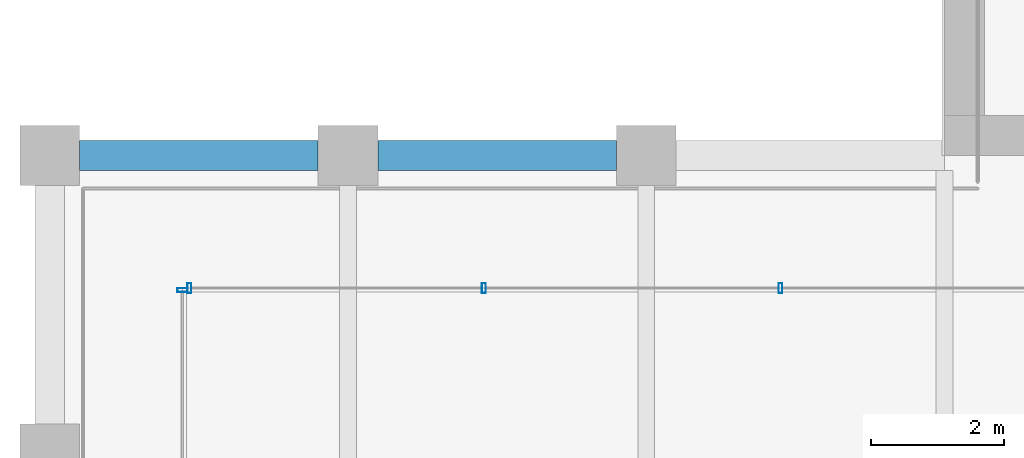
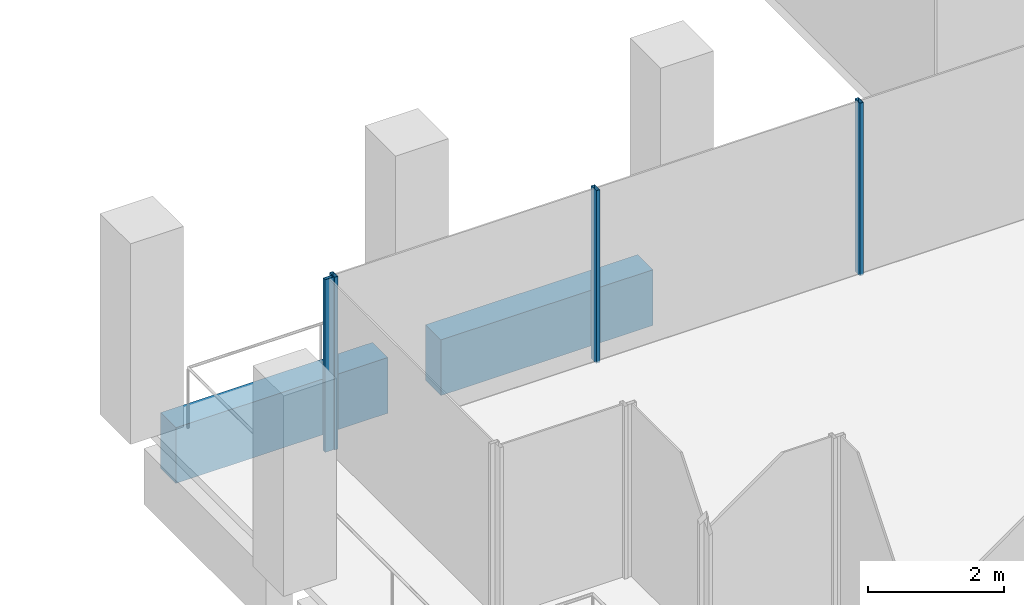
# One storey, part 5 of 40: 4 members, 2 beams, 2 elements without a shape of their own.
"""IFC4 building model written with IfcOpenShell, lengths in metres."""

import ifcopenshell
import ifcopenshell.guid

model = None  # the IFC model being written
_history = None  # IfcOwnerHistory: only IFC2X3 demands one
_inside = {}  # id of a spatial element -> (the spatial element, [elements in it])
_under = {}  # id of a project, library or spatial element -> (it, [spatial elements below it])
_declared = {}  # id of a project -> (the project, [libraries it declares])
_typed = {}  # id of a type object -> (the type object, [elements of that type])
_made_of = {}  # id of a material, layer set ... -> (it, [elements and type objects made of it])


def new_model(schema):
    """Start an empty IFC model of exactly this schema.

    Asked for "IFC4X3", IfcOpenShell would pick the latest addendum, in which some entities
    have other attributes; the version numbers below select the first issue.
    IFC2X3 requires an IfcOwnerHistory on every rooted entity: one is made here for all.
    """
    global model, _history
    if schema == "IFC4X3":
        model = ifcopenshell.file(schema_version=(4, 3, 0, 0))
    else:
        model = ifcopenshell.file(schema=schema)
    _inside.clear()
    _under.clear()
    _declared.clear()
    _typed.clear()
    _made_of.clear()
    _history = None
    if model.schema == "IFC2X3":
        org = make("IfcOrganization", Name="unknown")
        user = make(
            "IfcPersonAndOrganization",
            ThePerson=make("IfcPerson", FamilyName="unknown"),
            TheOrganization=org,
        )
        app = make(
            "IfcApplication",
            ApplicationDeveloper=org,
            Version="unknown",
            ApplicationFullName="unknown",
            ApplicationIdentifier="unknown",
        )
        _history = make(
            "IfcOwnerHistory",
            OwningUser=user,
            OwningApplication=app,
            ChangeAction="ADDED",
            CreationDate=0,
        )
    return model


def make(cls, **values):
    """One entity of the class cls with the attributes given. An attribute that is None is left unset."""
    return model.create_entity(
        cls, **{name: value for name, value in values.items() if value is not None}
    )


def rooted(cls, **values):
    """An entity with a GlobalId (a new one), such as an element, a storey or a relation."""
    return make(cls, GlobalId=ifcopenshell.guid.new(), OwnerHistory=_history, **values)


def si_unit(unit_type, name, prefix=None):
    """IfcSIUnit, for example si_unit("LENGTHUNIT", "METRE", prefix="MILLI")."""
    return make("IfcSIUnit", UnitType=unit_type, Prefix=prefix, Name=name)


def assignment(units):
    """IfcUnitAssignment: the units of a project."""
    return None if units is None else make("IfcUnitAssignment", Units=units)


def point(xyz):
    """IfcCartesianPoint."""
    return None if xyz is None else make("IfcCartesianPoint", Coordinates=xyz)


def direction(xyz):
    """IfcDirection."""
    return None if xyz is None else make("IfcDirection", DirectionRatios=xyz)


def frame(location, z_axis=None, x_axis=None):
    """IfcAxis2Placement3D, a coordinate frame: its origin and axes. An axis left out is left unset."""
    return make(
        "IfcAxis2Placement3D",
        Location=point(location),
        Axis=direction(z_axis),
        RefDirection=direction(x_axis),
    )


def frame_2d(location, x_axis=None):
    """IfcAxis2Placement2D, a coordinate frame in the plane: its origin and x axis."""
    return make(
        "IfcAxis2Placement2D", Location=point(location), RefDirection=direction(x_axis)
    )


def origin():
    """The frame at (0, 0, 0) with its axes left unset."""
    return frame((0.0, 0.0, 0.0))


def origin_2d():
    """The frame at (0, 0) in the plane with its x axis left unset."""
    return frame_2d((0.0, 0.0))


def place(relative_to, where):
    """IfcLocalPlacement: puts the frame where relative to a parent placement (None: the world)."""
    return make(
        "IfcLocalPlacement", PlacementRelTo=relative_to, RelativePlacement=where
    )


def context(
    kind, dimensions, precision=None, world=None, true_north=None, identifier=None
):
    """IfcGeometricRepresentationContext, for example the 3D "Model" context."""
    return make(
        "IfcGeometricRepresentationContext",
        ContextIdentifier=identifier,
        ContextType=kind,
        CoordinateSpaceDimension=dimensions,
        Precision=precision,
        WorldCoordinateSystem=world,
        TrueNorth=true_north,
    )


def subcontext(parent, identifier, kind, view, scale=None):
    """IfcGeometricRepresentationSubContext, for example "Body" below "Model"."""
    return make(
        "IfcGeometricRepresentationSubContext",
        ContextIdentifier=identifier,
        ContextType=kind,
        ParentContext=parent,
        TargetScale=scale,
        TargetView=view,
    )


def project(units=None, contexts=None):
    """IfcProject with its units and contexts."""
    return rooted(
        "IfcProject",
        Name="project",
        RepresentationContexts=contexts,
        UnitsInContext=assignment(units),
    )


def spatial(cls, under=None, at=None, **own):
    """A site, building, storey or space (cls), placed at a placement, below another one or the project."""
    s = rooted(cls, ObjectPlacement=at, **own)
    if under is not None:
        _under.setdefault(under.id(), (under, []))[1].append(s)
    return s


def profile(cls, at=None, kind="AREA", **sizes):
    """A parametric profile (cls). Its sizes go by their IFC names, for example OverallWidth=200.0."""
    return make(cls, ProfileType=kind, Position=at, **sizes)


def rectangle(**sizes):
    """IfcRectangleProfileDef."""
    return profile("IfcRectangleProfileDef", **sizes)


def hollow_rectangle(**sizes):
    """IfcRectangleHollowProfileDef."""
    return profile("IfcRectangleHollowProfileDef", **sizes)


def extrude(swept, where, along, depth):
    """IfcExtrudedAreaSolid: the profile swept, set in the frame where, extruded along a direction by depth."""
    return make(
        "IfcExtrudedAreaSolid",
        SweptArea=swept,
        Position=where,
        ExtrudedDirection=direction(along),
        Depth=depth,
    )


def shape(context_of_items, identifier, shape_type, items):
    """IfcShapeRepresentation: the items that make up one representation, for example the "Body"."""
    return make(
        "IfcShapeRepresentation",
        ContextOfItems=context_of_items,
        RepresentationIdentifier=identifier,
        RepresentationType=shape_type,
        Items=items,
    )


def material(Name=None, Category=None):
    """IfcMaterial."""
    return make("IfcMaterial", Name=Name, Category=Category)


def material_profile(
    of_material, cross_section, Name=None, Category=None, Priority=None
):
    """IfcMaterialProfile: a cross section and its material."""
    return make(
        "IfcMaterialProfile",
        Name=Name,
        Material=of_material,
        Profile=cross_section,
        Priority=Priority,
        Category=Category,
    )


def profile_set(profiles, Name=None, composite=None):
    """IfcMaterialProfileSet."""
    return make(
        "IfcMaterialProfileSet",
        Name=Name,
        MaterialProfiles=profiles,
        CompositeProfile=composite,
    )


def made_of(thing, what):
    """Note that an element or type object is made of a material, layer set ...; save() writes the relation."""
    if what is not None:
        _made_of.setdefault(what.id(), (what, []))[1].append(thing)
    return thing


def type_object(cls, material=None, **own):
    """A type object (cls), such as IfcWallType, which elements share."""
    return made_of(rooted(cls, **own), material)


def element(
    cls,
    number,
    at=None,
    inside=None,
    cuts=None,
    type_object=None,
    material=None,
    context=None,
    identifier="Body",
    shape_type=None,
    held_by="IfcProductDefinitionShape",
    body=None,
    shapes=None,
    **own,
):
    """One element of the class cls, such as IfcWall. Its Tag is "e" and its number.

    at: its placement. inside: the storey or other place that contains it. cuts: it is an
    opening in that element (IfcRelVoidsElement). A single representation is given by context,
    identifier, shape_type and body (its items); several are given by shapes. held_by: the class
    of the entity that holds the representations. save() writes the other relations.
    """
    e = rooted(cls, Tag="e%d" % number, ObjectPlacement=at, **own)
    if body is not None:
        shapes = [shape(context, identifier, shape_type, body)]
    if shapes is not None:
        e.Representation = make(held_by, Representations=shapes)
    if inside is not None:
        _inside.setdefault(inside.id(), (inside, []))[1].append(e)
    if cuts is not None:
        rooted(
            "IfcRelVoidsElement", RelatingBuildingElement=cuts, RelatedOpeningElement=e
        )
    if type_object is not None:
        _typed.setdefault(type_object.id(), (type_object, []))[1].append(e)
    return made_of(e, material)


def aggregate(whole, parts):
    """IfcRelAggregates: a whole, such as a stair, and the parts it consists of."""
    return rooted("IfcRelAggregates", RelatingObject=whole, RelatedObjects=parts)


def save(model, path):
    """Write the relations noted so far, then the file.

    IfcRelAggregates (storeys below a building ...), IfcRelContainedInSpatialStructure (elements
    in a storey), IfcRelDefinesByType, IfcRelAssociatesMaterial and IfcRelDeclares: one each for
    every whole, place, type object, material and project.
    """
    for whole, parts in _under.values():
        aggregate(whole, parts)
    for where, things in _inside.values():
        rooted(
            "IfcRelContainedInSpatialStructure",
            RelatedElements=things,
            RelatingStructure=where,
        )
    for kind, things in _typed.values():
        rooted("IfcRelDefinesByType", RelatedObjects=things, RelatingType=kind)
    for what, things in _made_of.values():
        rooted("IfcRelAssociatesMaterial", RelatedObjects=things, RelatingMaterial=what)
    for by, libraries in _declared.values():
        rooted("IfcRelDeclares", RelatingContext=by, RelatedDefinitions=libraries)
    model.write(path)


model = new_model("IFC4")

# Units and contexts
model_context = context("Model", 3, precision=1e-05, world=origin(), true_north=direction((0.0, 1.0)))
body_context = subcontext(model_context, "Body", "Model", "MODEL_VIEW")
ifc_project = project(units=[si_unit("LENGTHUNIT", "METRE"), si_unit("AREAUNIT", "SQUARE_METRE"), si_unit("VOLUMEUNIT", "CUBIC_METRE"), si_unit("PLANEANGLEUNIT", "RADIAN"), si_unit("MASSUNIT", "GRAM", prefix="KILO")], contexts=[model_context])

# Site, building, storey
site_placement = place(None, origin())
site = spatial("IfcSite", under=ifc_project, at=site_placement, CompositionType="ELEMENT")
building_placement = place(site_placement, origin())
building = spatial("IfcBuilding", under=site, at=building_placement, Name="Altepetl Exchange Towers", CompositionType="ELEMENT")
storey_placement = place(building_placement, frame((0.0, 0.0, 154.60009765625)))
storey = spatial("IfcBuildingStorey", under=building, at=storey_placement, Name="L38", CompositionType="ELEMENT", Elevation=154.60009765625)

# Curtain wall, members
ifc_material_1 = material(Name="Aluminium 6063-T6 glazing", Category="aluminium")
curtain_wall_type = type_object("IfcCurtainWallType", Name="Loggia glazing system", PredefinedType="NOTDEFINED", material=ifc_material_1)
curtain_wall_1_placement = place(storey_placement, origin())
curtain_wall_1 = element("IfcCurtainWall", 1, at=curtain_wall_1_placement, inside=storey, type_object=curtain_wall_type, Name="CW1 run", PredefinedType="NOTDEFINED")
ifc_material_2 = material(Name="Aluminium 6063-T6", Category="aluminium")
ifc_material_profile_1 = material_profile(ifc_material_2, hollow_rectangle(XDim=0.06005859375, YDim=0.14990234375, WallThickness=0.0029296875, at=origin_2d()), Name="Mullion 60x150 aluminium")
ifc_profile_set_1 = profile_set([ifc_material_profile_1], Name="Aluminium 6063-T6")
member_type = type_object("IfcMemberType", Name="Mullion 60x150 aluminium", PredefinedType="MULLION", material=ifc_profile_set_1)
member_1_placement = place(storey_placement, frame((38.02490234375, 38.5, 0.0), z_axis=(0.0, 0.0, 1.0), x_axis=(-1.0, 0.0, 0.0)))
member_1 = element("IfcMember", 2, at=member_1_placement, type_object=member_type, Name="MU1 mullion", PredefinedType="MULLION", context=body_context, shape_type="SweptSolid", body=[
    extrude(hollow_rectangle(XDim=0.06005859375, YDim=0.14990234375, WallThickness=0.0029296875, at=origin_2d()), origin(), (0.0, 0.0, 1.0), 3.099853515625),
])
member_2_placement = place(storey_placement, frame((33.550048828125, 38.5, 0.0), z_axis=(0.0, 0.0, 1.0), x_axis=(-1.0, 0.0, 0.0)))
member_2 = element("IfcMember", 3, at=member_2_placement, type_object=member_type, Name="MU1 mullion", PredefinedType="MULLION", context=body_context, shape_type="SweptSolid", body=[
    extrude(hollow_rectangle(XDim=0.06005859375, YDim=0.14990234375, WallThickness=0.0029296875, at=origin_2d()), origin(), (0.0, 0.0, 1.0), 3.099853515625),
])
member_3_placement = place(storey_placement, frame((29.10498046875, 38.5, 0.0), z_axis=(0.0, 0.0, 1.0), x_axis=(-1.0, 0.0, 0.0)))
member_3 = element("IfcMember", 4, at=member_3_placement, type_object=member_type, Name="MU1 mullion", PredefinedType="MULLION", context=body_context, shape_type="SweptSolid", body=[
    extrude(hollow_rectangle(XDim=0.06005859375, YDim=0.14990234375, WallThickness=0.0029296875, at=origin_2d()), origin(), (0.0, 0.0, 1.0), 3.099853515625),
])
aggregate(curtain_wall_1, [member_1, member_2, member_3])

# Curtain wall, member
curtain_wall_2_placement = place(storey_placement, origin())
curtain_wall_2 = element("IfcCurtainWall", 5, at=curtain_wall_2_placement, inside=storey, type_object=curtain_wall_type, Name="CW1 run", PredefinedType="NOTDEFINED")
member_4_placement = place(storey_placement, frame((29.0, 38.469970703125, 0.0), z_axis=(0.0, 0.0, 1.0), x_axis=(0.0, -1.0, 0.0)))
member_4 = element("IfcMember", 6, at=member_4_placement, type_object=member_type, Name="MU1 mullion", PredefinedType="MULLION", context=body_context, shape_type="SweptSolid", body=[
    extrude(hollow_rectangle(XDim=0.06005859375, YDim=0.14990234375, WallThickness=0.0029296875, at=origin_2d()), origin(), (0.0, 0.0, 1.0), 3.099853515625),
])
aggregate(curtain_wall_2, [member_4])

# Beams
ifc_material_3 = material(Name="Concrete C50/60 precast with tezontle facing", Category="concrete")
ifc_material_profile_2 = material_profile(ifc_material_3, rectangle(XDim=0.449951171875, YDim=1.0, at=origin_2d()), Name="450 x 1000")
ifc_profile_set_2 = profile_set([ifc_material_profile_2], Name="Concrete C50/60 precast with tezontle facing")
beam_type = type_object("IfcBeamType", Name="Spandrel beam 450x1000 tezontle", PredefinedType="SPANDREL", material=ifc_profile_set_2)
for number, where, z_axis, x_axis, name in (
    (7, (35.550048828125, 40.5, -0.650146484375), (-1.0, 0.0, 0.0), (0.0, -1.0, 0.0), "sp:A:L38:034"),
    (8, (31.050048828125, 40.5, -0.650146484375), (-1.0, 0.0, 0.0), (0.0, -1.0, 0.0), "sp:A:L38:035"),
):
    element("IfcBeam", number, at=place(storey_placement, frame(where, z_axis=z_axis, x_axis=x_axis)), inside=storey, type_object=beam_type, Name=name, PredefinedType="SPANDREL", context=body_context, shape_type="SweptSolid", body=[
        extrude(rectangle(XDim=0.449951171875, YDim=1.0, at=origin_2d()), origin(), (0.0, 0.0, 1.0), 3.60009765625),
    ])

save(model, "model.ifc")
